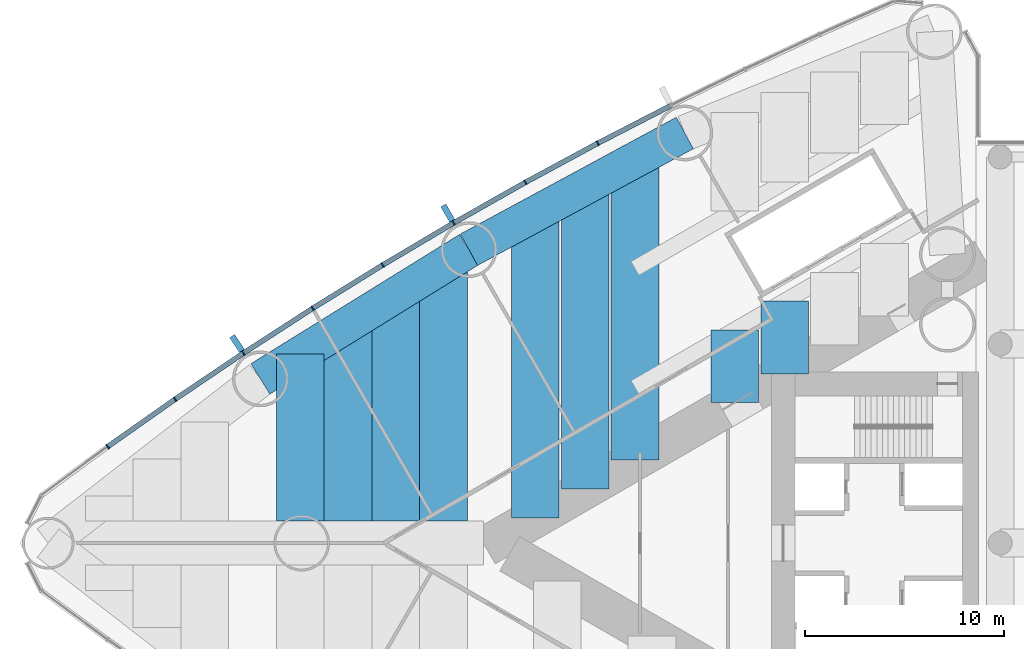
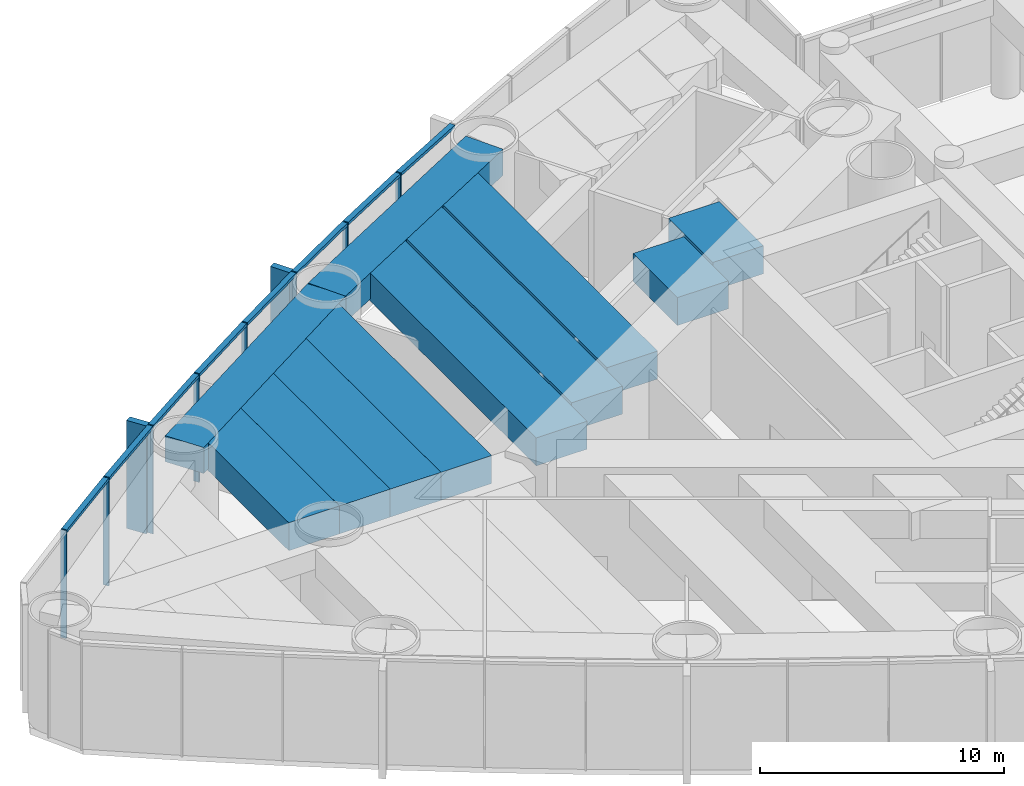
# One storey, part 4 of 20: 18 members, 11 beams, 1 element without a shape of its own.
"""IFC4 building model written with IfcOpenShell, lengths in metres."""

from ifc_helpers import new_model, si_unit, direction, frame, origin, origin_2d, place, context, subcontext, project, spatial, rectangle, extrude, material, material_profile, profile_set, type_object, element, aggregate, save


model = new_model("IFC4")

# Units and contexts
model_context = context("Model", 3, precision=1e-05, world=origin(), true_north=direction((0.0, 1.0)))
body_context = subcontext(model_context, "Body", "Model", "MODEL_VIEW")
ifc_project = project(units=[si_unit("LENGTHUNIT", "METRE"), si_unit("AREAUNIT", "SQUARE_METRE"), si_unit("VOLUMEUNIT", "CUBIC_METRE"), si_unit("PLANEANGLEUNIT", "RADIAN"), si_unit("MASSUNIT", "GRAM", prefix="KILO")], contexts=[model_context])

# Site, building, storey
site_placement = place(None, origin())
site = spatial("IfcSite", under=ifc_project, at=site_placement, CompositionType="ELEMENT")
building_placement = place(site_placement, origin())
building = spatial("IfcBuilding", under=site, at=building_placement, Name="Lancet Gate Hotel", CompositionType="ELEMENT")
storey_placement = place(building_placement, frame((0.0, 0.0, 7.199951171875)))
storey = spatial("IfcBuildingStorey", under=building, at=storey_placement, Name="L01", CompositionType="ELEMENT", Elevation=7.199951171875)

# Curtain wall, members
ifc_material_1 = material(Name="Aluminium curtain wall", Category="aluminium")
curtain_wall_type = type_object("IfcCurtainWallType", Name="Podium curtain wall", PredefinedType="USERDEFINED", material=ifc_material_1)
curtain_wall_placement = place(storey_placement, origin())
curtain_wall = element("IfcCurtainWall", 1, at=curtain_wall_placement, inside=storey, type_object=curtain_wall_type, Name="T1 L01 curtain wall 2", ObjectType="UNITISED CURTAIN WALL", PredefinedType="USERDEFINED")
ifc_material_2 = material(Name="Aluminium mullion", Category="aluminium")
ifc_material_profile_1 = material_profile(ifc_material_2, rectangle(XDim=0.06494140625, YDim=0.25, at=origin_2d()), Name="MULLION 65x250")
ifc_profile_set_1 = profile_set([ifc_material_profile_1], Name="Aluminium mullion")
member_type_1 = type_object("IfcMemberType", Name="Aluminium mullion 65x250", PredefinedType="MULLION", material=ifc_profile_set_1)
member_1_placement = place(storey_placement, frame((-46.6220703125, 20.094970703125, 0.0), z_axis=(0.0, 0.0, 1.0), x_axis=(-0.884311132302, -0.466898084475, 0.0)))
member_1 = element("IfcMember", 2, at=member_1_placement, type_object=member_type_1, Name="T1 L01 curtain wall 2 mullion 6", PredefinedType="MULLION", context=body_context, shape_type="SweptSolid", body=[
    extrude(rectangle(XDim=0.06494140625, YDim=0.25, at=origin_2d()), origin(), (0.0, 0.0, 1.0), 5.400146484375),
])
member_2_placement = place(storey_placement, frame((-50.26416015625, 18.1259765625, 0.0), z_axis=(0.0, 0.0, 1.0), x_axis=(-0.874991035403, -0.484139120464, 0.0)))
member_2 = element("IfcMember", 3, at=member_2_placement, type_object=member_type_1, Name="T1 L01 curtain wall 2 mullion 7", PredefinedType="MULLION", context=body_context, shape_type="SweptSolid", body=[
    extrude(rectangle(XDim=0.06494140625, YDim=0.25, at=origin_2d()), origin(), (0.0, 0.0, 1.0), 5.400146484375),
])
member_3_placement = place(storey_placement, frame((-53.866943359375, 16.086181640625, 0.0), z_axis=(0.0, 0.0, 1.0), x_axis=(-0.86533483912, -0.501194190115, 0.0)))
member_3 = element("IfcMember", 4, at=member_3_placement, type_object=member_type_1, Name="T1 L01 curtain wall 2 mullion 8", PredefinedType="MULLION", context=body_context, shape_type="SweptSolid", body=[
    extrude(rectangle(XDim=0.06494140625, YDim=0.25, at=origin_2d()), origin(), (0.0, 0.0, 1.0), 5.400146484375),
])
member_4_placement = place(storey_placement, frame((-57.42919921875, 13.97607421875, 0.0), z_axis=(0.0, 0.0, 1.0), x_axis=(-0.855346252548, -0.518056742309, 0.0)))
member_4 = element("IfcMember", 5, at=member_4_placement, type_object=member_type_1, Name="T1 L01 curtain wall 2 mullion 9", PredefinedType="MULLION", context=body_context, shape_type="SweptSolid", body=[
    extrude(rectangle(XDim=0.06494140625, YDim=0.25, at=origin_2d()), origin(), (0.0, 0.0, 1.0), 5.400146484375),
])
member_5_placement = place(storey_placement, frame((-60.949462890625, 11.796630859375, 0.0), z_axis=(0.0, 0.0, 1.0), x_axis=(-0.845029112489, -0.534720299827, 0.0)))
member_5 = element("IfcMember", 6, at=member_5_placement, type_object=member_type_1, Name="T1 L01 curtain wall 2 mullion 10", PredefinedType="MULLION", context=body_context, shape_type="SweptSolid", body=[
    extrude(rectangle(XDim=0.06494140625, YDim=0.25, at=origin_2d()), origin(), (0.0, 0.0, 1.0), 5.400146484375),
])
member_6_placement = place(storey_placement, frame((-64.42626953125, 9.548583984375, 0.0), z_axis=(0.0, 0.0, 1.0), x_axis=(-0.834387381945, -0.55117846189, 0.0)))
member_6 = element("IfcMember", 7, at=member_6_placement, type_object=member_type_1, Name="T1 L01 curtain wall 2 mullion 11", PredefinedType="MULLION", context=body_context, shape_type="SweptSolid", body=[
    extrude(rectangle(XDim=0.06494140625, YDim=0.25, at=origin_2d()), origin(), (0.0, 0.0, 1.0), 5.400146484375),
])
member_7_placement = place(storey_placement, frame((-67.858154296875, 7.232666015625, 0.0), z_axis=(0.0, 0.0, 1.0), x_axis=(-0.823425148573, -0.56742490666, 0.0)))
member_7 = element("IfcMember", 8, at=member_7_placement, type_object=member_type_1, Name="T1 L01 curtain wall 2 mullion 12", PredefinedType="MULLION", context=body_context, shape_type="SweptSolid", body=[
    extrude(rectangle(XDim=0.06494140625, YDim=0.25, at=origin_2d()), origin(), (0.0, 0.0, 1.0), 5.400146484375),
])
member_8_placement = place(storey_placement, frame((-71.244384765625, 4.85009765625, 0.0), z_axis=(0.0, 0.0, 1.0), x_axis=(-0.812146623168, -0.583453393578, 0.0)))
member_8 = element("IfcMember", 9, at=member_8_placement, type_object=member_type_1, Name="T1 L01 curtain wall 2 mullion 13", PredefinedType="MULLION", context=body_context, shape_type="SweptSolid", body=[
    extrude(rectangle(XDim=0.06494140625, YDim=0.25, at=origin_2d()), origin(), (0.0, 0.0, 1.0), 5.400146484375),
])
ifc_material_3 = material(Name="Aluminium transom", Category="aluminium")
ifc_material_profile_2 = material_profile(ifc_material_3, rectangle(XDim=0.25, YDim=0.14990234375, at=origin_2d()), Name="TRANSOM 250x150")
ifc_profile_set_2 = profile_set([ifc_material_profile_2], Name="Aluminium transom")
member_type_2 = type_object("IfcMemberType", Name="Aluminium transom 250x150", PredefinedType="USERDEFINED", material=ifc_profile_set_2)
member_9_placement = place(storey_placement, frame((-42.970703125, 21.97705078125, 5.324951171875), z_axis=(-0.888859972399, -0.458178949175, 0.0), x_axis=(0.458178949175, -0.888859972399, 0.0)))
member_9 = element("IfcMember", 10, at=member_9_placement, type_object=member_type_2, Name="T1 L01 curtain wall 2 transom 5", ObjectType="TRANSOM", PredefinedType="USERDEFINED", context=body_context, shape_type="SweptSolid", body=[
    extrude(rectangle(XDim=0.25, YDim=0.14990234375, at=origin_2d()), origin(), (0.0, 0.0, 1.0), 4.0751953125),
])
member_10_placement = place(storey_placement, frame((-46.650634765625, 20.079345703125, 5.324951171875), z_axis=(-0.87971396408, -0.475503250675, 0.0), x_axis=(0.475503250675, -0.87971396408, 0.0)))
member_10 = element("IfcMember", 11, at=member_10_placement, type_object=member_type_2, Name="T1 L01 curtain wall 2 transom 6", ObjectType="TRANSOM", PredefinedType="USERDEFINED", context=body_context, shape_type="SweptSolid", body=[
    extrude(rectangle(XDim=0.25, YDim=0.14990234375, at=origin_2d()), origin(), (0.0, 0.0, 1.0), 4.0751953125),
])
member_11_placement = place(storey_placement, frame((-50.29248046875, 18.110107421875, 5.324951171875), z_axis=(-0.870197729943, -0.492702659625, 0.0), x_axis=(0.492702659625, -0.870197729943, 0.0)))
member_11 = element("IfcMember", 12, at=member_11_placement, type_object=member_type_2, Name="T1 L01 curtain wall 2 transom 7", ObjectType="TRANSOM", PredefinedType="USERDEFINED", context=body_context, shape_type="SweptSolid", body=[
    extrude(rectangle(XDim=0.25, YDim=0.14990234375, at=origin_2d()), origin(), (0.0, 0.0, 1.0), 4.0751953125),
])
member_12_placement = place(storey_placement, frame((-53.89501953125, 16.069580078125, 5.324951171875), z_axis=(-0.86039174806, -0.509633240547, 0.0), x_axis=(0.509633240547, -0.86039174806, 0.0)))
member_12 = element("IfcMember", 13, at=member_12_placement, type_object=member_type_2, Name="T1 L01 curtain wall 2 transom 8", ObjectType="TRANSOM", PredefinedType="USERDEFINED", context=body_context, shape_type="SweptSolid", body=[
    extrude(rectangle(XDim=0.25, YDim=0.14990234375, at=origin_2d()), origin(), (0.0, 0.0, 1.0), 4.0751953125),
])
member_13_placement = place(storey_placement, frame((-57.456787109375, 13.958984375, 5.324951171875), z_axis=(-0.850242165643, -0.526391736032, 0.0), x_axis=(0.526391736032, -0.850242165643, 0.0)))
member_13 = element("IfcMember", 14, at=member_13_placement, type_object=member_type_2, Name="T1 L01 curtain wall 2 transom 9", ObjectType="TRANSOM", PredefinedType="USERDEFINED", context=body_context, shape_type="SweptSolid", body=[
    extrude(rectangle(XDim=0.25, YDim=0.14990234375, at=origin_2d()), origin(), (0.0, 0.0, 1.0), 4.075439453125),
])
member_14_placement = place(storey_placement, frame((-60.976806640625, 11.779052734375, 5.324951171875), z_axis=(-0.839729242404, -0.543005340169, 0.0), x_axis=(0.543005340169, -0.839729242404, 0.0)))
member_14 = element("IfcMember", 15, at=member_14_placement, type_object=member_type_2, Name="T1 L01 curtain wall 2 transom 10", ObjectType="TRANSOM", PredefinedType="USERDEFINED", context=body_context, shape_type="SweptSolid", body=[
    extrude(rectangle(XDim=0.25, YDim=0.14990234375, at=origin_2d()), origin(), (0.0, 0.0, 1.0), 4.0751953125),
])
member_15_placement = place(storey_placement, frame((-64.453125, 9.5302734375, 5.324951171875), z_axis=(-0.828959086782, -0.559309245804, 0.0), x_axis=(0.559309245804, -0.828959086782, 0.0)))
member_15 = element("IfcMember", 16, at=member_15_placement, type_object=member_type_2, Name="T1 L01 curtain wall 2 transom 11", ObjectType="TRANSOM", PredefinedType="USERDEFINED", context=body_context, shape_type="SweptSolid", body=[
    extrude(rectangle(XDim=0.25, YDim=0.14990234375, at=origin_2d()), origin(), (0.0, 0.0, 1.0), 4.0751953125),
])
member_16_placement = place(storey_placement, frame((-67.884765625, 7.214111328125, 5.324951171875), z_axis=(-0.817833568345, -0.57545482402, 0.0), x_axis=(0.57545482402, -0.817833568345, 0.0)))
member_16 = element("IfcMember", 17, at=member_16_placement, type_object=member_type_2, Name="T1 L01 curtain wall 2 transom 12", ObjectType="TRANSOM", PredefinedType="USERDEFINED", context=body_context, shape_type="SweptSolid", body=[
    extrude(rectangle(XDim=0.25, YDim=0.14990234375, at=origin_2d()), origin(), (0.0, 0.0, 1.0), 4.075439453125),
])

# Beams
ifc_material_4 = material(Name="Concrete C50/60", Category="concrete")
ifc_material_profile_3 = material_profile(ifc_material_4, rectangle(XDim=1.800048828125, YDim=1.300048828125, at=origin_2d()), Name="RC 1800x1300")
ifc_profile_set_3 = profile_set([ifc_material_profile_3], Name="Concrete C50/60")
beam_type_1 = type_object("IfcBeamType", Name="Edge beam RC 1800x1300", PredefinedType="SPANDREL", material=ifc_profile_set_3)
for number, where, z_axis, x_axis, name in (
    (18, (-42.2451171875, 20.607421875, 4.400146484375), (-0.879692855603, -0.475542300749, 0.0), (0.475542300749, -0.879692855603, 0.0), "T1 edge beam EB1 L01"),
    (19, (-53.090087890625, 14.744873046875, 4.400146484375), (-0.850225894333, -0.526418016984, 0.0), (0.526418016984, -0.850225894333, 0.0), "T1 edge beam EB1 L01"),
):
    element("IfcBeam", number, at=place(storey_placement, frame(where, z_axis=z_axis, x_axis=x_axis)), inside=storey, type_object=beam_type_1, Name=name, PredefinedType="SPANDREL", context=body_context, shape_type="SweptSolid", body=[
        extrude(rectangle(XDim=1.800048828125, YDim=1.300048828125, at=origin_2d()), origin(), (0.0, 0.0, 1.0), 12.328125),
    ])

# Member
ifc_material_5 = material(Name="Precast concrete C50/60", Category="concrete")
ifc_material_profile_4 = material_profile(ifc_material_5, rectangle(XDim=0.300048828125, YDim=0.89990234375, at=origin_2d()), Name="FIN 300x900")
ifc_profile_set_4 = profile_set([ifc_material_profile_4], Name="Precast concrete C50/60")
member_type_3 = type_object("IfcMemberType", Name="Exposed concrete fin 300x900", PredefinedType="USERDEFINED", material=ifc_profile_set_4)
member_17_placement = place(storey_placement, frame((-54.1552734375, 16.583740234375, 0.0), z_axis=(0.0, 0.0, 1.0), x_axis=(-0.86533483912, -0.501194190115, 0.0)))
member_17 = element("IfcMember", 20, at=member_17_placement, type_object=member_type_3, Name="T1 L01 curtain wall 2 fin 8", ObjectType="FIN", PredefinedType="USERDEFINED", context=body_context, shape_type="SweptSolid", body=[
    extrude(rectangle(XDim=0.300048828125, YDim=0.89990234375, at=origin_2d()), origin(), (0.0, 0.0, 1.0), 5.400146484375),
])

member_18_placement = place(storey_placement, frame((-64.7431640625, 10.0283203125, 0.0), z_axis=(0.0, 0.0, 1.0), x_axis=(-0.834387381945, -0.55117846189, 0.0)))
member_18 = element("IfcMember", 21, at=member_18_placement, type_object=member_type_3, Name="T1 L01 curtain wall 2 fin 11", ObjectType="FIN", PredefinedType="USERDEFINED", context=body_context, shape_type="SweptSolid", body=[
    extrude(rectangle(XDim=0.300048828125, YDim=0.89990234375, at=origin_2d()), origin(), (0.0, 0.0, 1.0), 5.400146484375),
])

aggregate(curtain_wall, [member_1, member_2, member_3, member_17, member_4, member_5, member_6, member_18, member_7, member_8, member_9, member_10, member_11, member_12, member_13, member_14, member_15, member_16])

# Beams
ifc_material_6 = material(Name="Concrete C50/60", Category="concrete")
ifc_material_profile_5 = material_profile(ifc_material_6, rectangle(XDim=2.39990234375, YDim=1.39990234375, at=origin_2d()), Name="RC 2400x1400")
ifc_profile_set_5 = profile_set([ifc_material_profile_5], Name="Concrete C50/60")
beam_type_2 = type_object("IfcBeamType", Name="Floor beam RC 2400x1400", PredefinedType="BEAM", material=ifc_profile_set_5)
beam_1_placement = place(storey_placement, frame((-44.747802734375, 19.254638671875, 4.35009765625), z_axis=(0.0, -1.0, 0.0), x_axis=(1.0, 0.0, 0.0)))
element("IfcBeam", 22, at=beam_1_placement, inside=storey, type_object=beam_type_2, Name="T1 floor beam F09S L01", PredefinedType="BEAM", context=body_context, shape_type="SweptSolid", body=[
    extrude(rectangle(XDim=2.39990234375, YDim=1.39990234375, at=origin_2d()), origin(), (0.0, 0.0, 1.0), 15.0859375),
])
beam_2_placement = place(storey_placement, frame((-47.254638671875, 17.8994140625, 4.35009765625), z_axis=(0.0, -1.0, 0.0), x_axis=(1.0, 0.0, 0.0)))
element("IfcBeam", 23, at=beam_2_placement, inside=storey, type_object=beam_type_2, Name="T1 floor beam F10S L01", PredefinedType="BEAM", context=body_context, shape_type="SweptSolid", body=[
    extrude(rectangle(XDim=2.39990234375, YDim=1.39990234375, at=origin_2d()), origin(), (0.0, 0.0, 1.0), 15.177978515625),
])
beam_3_placement = place(storey_placement, frame((-49.761474609375, 16.54443359375, 4.35009765625), z_axis=(0.0, -1.0, 0.0), x_axis=(1.0, 0.0, 0.0)))
element("IfcBeam", 24, at=beam_3_placement, inside=storey, type_object=beam_type_2, Name="T1 floor beam F12S L01", PredefinedType="BEAM", context=body_context, shape_type="SweptSolid", body=[
    extrude(rectangle(XDim=2.39990234375, YDim=1.39990234375, at=origin_2d()), origin(), (0.0, 0.0, 1.0), 15.270263671875),
])
beam_4_placement = place(storey_placement, frame((-54.3681640625, 13.95361328125, 4.35009765625), z_axis=(0.0, -1.0, 0.0), x_axis=(1.0, 0.0, 0.0)))
element("IfcBeam", 25, at=beam_4_placement, inside=storey, type_object=beam_type_2, Name="T1 floor beam F13S L01", PredefinedType="BEAM", context=body_context, shape_type="SweptSolid", body=[
    extrude(rectangle(XDim=2.39990234375, YDim=1.39990234375, at=origin_2d()), origin(), (0.0, 0.0, 1.0), 12.853515625),
])
beam_5_placement = place(storey_placement, frame((-56.768310546875, 12.467529296875, 4.35009765625), z_axis=(0.0, -1.0, 0.0), x_axis=(1.0, 0.0, 0.0)))
element("IfcBeam", 26, at=beam_5_placement, inside=storey, type_object=beam_type_2, Name="T1 floor beam F15S L01", PredefinedType="BEAM", context=body_context, shape_type="SweptSolid", body=[
    extrude(rectangle(XDim=2.39990234375, YDim=1.39990234375, at=origin_2d()), origin(), (0.0, 0.0, 1.0), 11.367431640625),
])
beam_6_placement = place(storey_placement, frame((-59.168212890625, 10.981689453125, 4.35009765625), z_axis=(0.0, -1.0, 0.0), x_axis=(1.0, 0.0, 0.0)))
element("IfcBeam", 27, at=beam_6_placement, inside=storey, type_object=beam_type_2, Name="T1 floor beam F17S L01", PredefinedType="BEAM", context=body_context, shape_type="SweptSolid", body=[
    extrude(rectangle(XDim=2.39990234375, YDim=1.39990234375, at=origin_2d()), origin(), (0.0, 0.0, 1.0), 9.881591796875),
])
beam_7_placement = place(storey_placement, frame((-61.568359375, 9.495849609375, 4.35009765625), z_axis=(0.0, -1.0, 0.0), x_axis=(1.0, 0.0, 0.0)))
element("IfcBeam", 28, at=beam_7_placement, inside=storey, type_object=beam_type_2, Name="T1 floor beam F19S L01", PredefinedType="BEAM", context=body_context, shape_type="SweptSolid", body=[
    extrude(rectangle(XDim=2.39990234375, YDim=1.39990234375, at=origin_2d()), origin(), (0.0, 0.0, 1.0), 8.395751953125),
])
beam_8_placement = place(storey_placement, frame((-37.227294921875, 12.15625, 4.35009765625), z_axis=(0.0, -1.0, 0.0), x_axis=(1.0, 0.0, 0.0)))
element("IfcBeam", 29, at=beam_8_placement, inside=storey, type_object=beam_type_2, Name="T1 floor beam F05SB L01", PredefinedType="BEAM", context=body_context, shape_type="SweptSolid", body=[
    extrude(rectangle(XDim=2.39990234375, YDim=1.39990234375, at=origin_2d()), origin(), (0.0, 0.0, 1.0), 3.6455078125),
])
beam_9_placement = place(storey_placement, frame((-39.734130859375, 10.708740234375, 4.35009765625), z_axis=(0.0, -1.0, 0.0), x_axis=(1.0, 0.0, 0.0)))
element("IfcBeam", 30, at=beam_9_placement, inside=storey, type_object=beam_type_2, Name="T1 floor beam F07SB L01", PredefinedType="BEAM", context=body_context, shape_type="SweptSolid", body=[
    extrude(rectangle(XDim=2.39990234375, YDim=1.39990234375, at=origin_2d()), origin(), (0.0, 0.0, 1.0), 3.645263671875),
])

save(model, "model.ifc")
